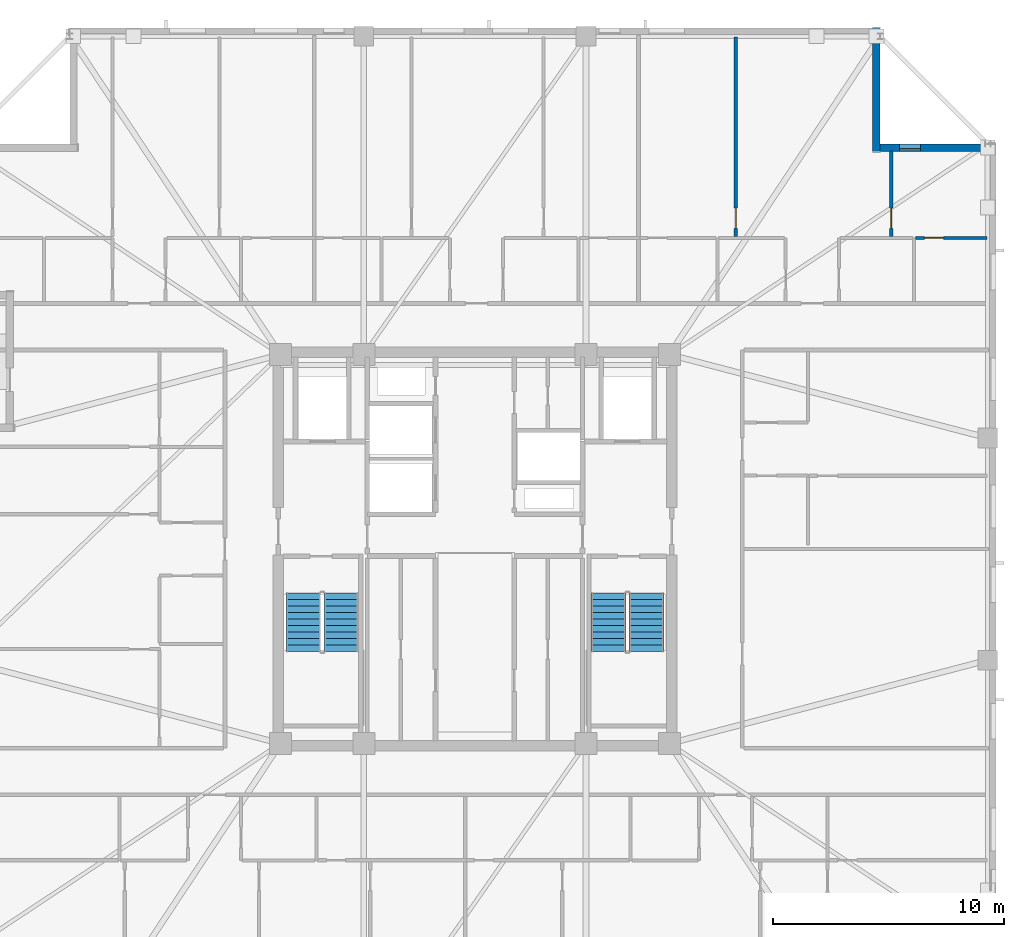
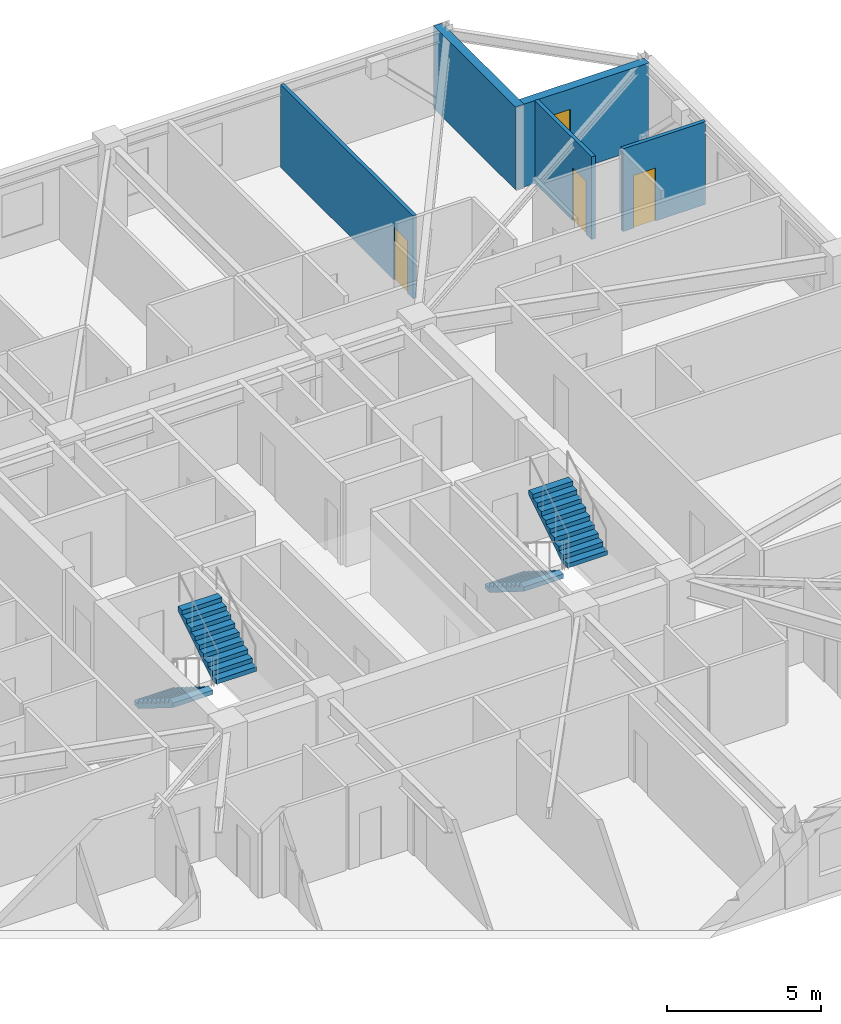
# One storey, part 12 of 17: 5 walls, 4 stair flights, 3 doors, 1 window, 4 openings, 2 elements without a shape of their own.
"""IFC4 building model written with IfcOpenShell, lengths in metres."""

import ifcopenshell
import ifcopenshell.guid

model = None  # the IFC model being written
_history = None  # IfcOwnerHistory: only IFC2X3 demands one
_inside = {}  # id of a spatial element -> (the spatial element, [elements in it])
_under = {}  # id of a project, library or spatial element -> (it, [spatial elements below it])
_declared = {}  # id of a project -> (the project, [libraries it declares])
_typed = {}  # id of a type object -> (the type object, [elements of that type])
_made_of = {}  # id of a material, layer set ... -> (it, [elements and type objects made of it])


def new_model(schema):
    """Start an empty IFC model of exactly this schema.

    Asked for "IFC4X3", IfcOpenShell would pick the latest addendum, in which some entities
    have other attributes; the version numbers below select the first issue.
    IFC2X3 requires an IfcOwnerHistory on every rooted entity: one is made here for all.
    """
    global model, _history
    if schema == "IFC4X3":
        model = ifcopenshell.file(schema_version=(4, 3, 0, 0))
    else:
        model = ifcopenshell.file(schema=schema)
    _inside.clear()
    _under.clear()
    _declared.clear()
    _typed.clear()
    _made_of.clear()
    _history = None
    if model.schema == "IFC2X3":
        org = make("IfcOrganization", Name="unknown")
        user = make(
            "IfcPersonAndOrganization",
            ThePerson=make("IfcPerson", FamilyName="unknown"),
            TheOrganization=org,
        )
        app = make(
            "IfcApplication",
            ApplicationDeveloper=org,
            Version="unknown",
            ApplicationFullName="unknown",
            ApplicationIdentifier="unknown",
        )
        _history = make(
            "IfcOwnerHistory",
            OwningUser=user,
            OwningApplication=app,
            ChangeAction="ADDED",
            CreationDate=0,
        )
    return model


def make(cls, **values):
    """One entity of the class cls with the attributes given. An attribute that is None is left unset."""
    return model.create_entity(
        cls, **{name: value for name, value in values.items() if value is not None}
    )


def rooted(cls, **values):
    """An entity with a GlobalId (a new one), such as an element, a storey or a relation."""
    return make(cls, GlobalId=ifcopenshell.guid.new(), OwnerHistory=_history, **values)


def si_unit(unit_type, name, prefix=None):
    """IfcSIUnit, for example si_unit("LENGTHUNIT", "METRE", prefix="MILLI")."""
    return make("IfcSIUnit", UnitType=unit_type, Prefix=prefix, Name=name)


def assignment(units):
    """IfcUnitAssignment: the units of a project."""
    return None if units is None else make("IfcUnitAssignment", Units=units)


def point(xyz):
    """IfcCartesianPoint."""
    return None if xyz is None else make("IfcCartesianPoint", Coordinates=xyz)


def direction(xyz):
    """IfcDirection."""
    return None if xyz is None else make("IfcDirection", DirectionRatios=xyz)


def frame(location, z_axis=None, x_axis=None):
    """IfcAxis2Placement3D, a coordinate frame: its origin and axes. An axis left out is left unset."""
    return make(
        "IfcAxis2Placement3D",
        Location=point(location),
        Axis=direction(z_axis),
        RefDirection=direction(x_axis),
    )


def frame_2d(location, x_axis=None):
    """IfcAxis2Placement2D, a coordinate frame in the plane: its origin and x axis."""
    return make(
        "IfcAxis2Placement2D", Location=point(location), RefDirection=direction(x_axis)
    )


def origin():
    """The frame at (0, 0, 0) with its axes left unset."""
    return frame((0.0, 0.0, 0.0))


def place(relative_to, where):
    """IfcLocalPlacement: puts the frame where relative to a parent placement (None: the world)."""
    return make(
        "IfcLocalPlacement", PlacementRelTo=relative_to, RelativePlacement=where
    )


def context(
    kind, dimensions, precision=None, world=None, true_north=None, identifier=None
):
    """IfcGeometricRepresentationContext, for example the 3D "Model" context."""
    return make(
        "IfcGeometricRepresentationContext",
        ContextIdentifier=identifier,
        ContextType=kind,
        CoordinateSpaceDimension=dimensions,
        Precision=precision,
        WorldCoordinateSystem=world,
        TrueNorth=true_north,
    )


def subcontext(parent, identifier, kind, view, scale=None):
    """IfcGeometricRepresentationSubContext, for example "Body" below "Model"."""
    return make(
        "IfcGeometricRepresentationSubContext",
        ContextIdentifier=identifier,
        ContextType=kind,
        ParentContext=parent,
        TargetScale=scale,
        TargetView=view,
    )


def project(units=None, contexts=None):
    """IfcProject with its units and contexts."""
    return rooted(
        "IfcProject",
        Name="project",
        RepresentationContexts=contexts,
        UnitsInContext=assignment(units),
    )


def spatial(cls, under=None, at=None, **own):
    """A site, building, storey or space (cls), placed at a placement, below another one or the project."""
    s = rooted(cls, ObjectPlacement=at, **own)
    if under is not None:
        _under.setdefault(under.id(), (under, []))[1].append(s)
    return s


def polyline(points):
    """IfcPolyline through the points."""
    return make("IfcPolyline", Points=[point(p) for p in points])


def profile(cls, at=None, kind="AREA", **sizes):
    """A parametric profile (cls). Its sizes go by their IFC names, for example OverallWidth=200.0."""
    return make(cls, ProfileType=kind, Position=at, **sizes)


def rectangle(**sizes):
    """IfcRectangleProfileDef."""
    return profile("IfcRectangleProfileDef", **sizes)


def outline(outer, holes=None, kind="AREA"):
    """IfcArbitraryClosedProfileDef: a profile drawn as a closed curve; with holes, ...WithVoids."""
    if holes is None:
        return make("IfcArbitraryClosedProfileDef", ProfileType=kind, OuterCurve=outer)
    return make(
        "IfcArbitraryProfileDefWithVoids",
        ProfileType=kind,
        OuterCurve=outer,
        InnerCurves=holes,
    )


def extrude(swept, where, along, depth):
    """IfcExtrudedAreaSolid: the profile swept, set in the frame where, extruded along a direction by depth."""
    return make(
        "IfcExtrudedAreaSolid",
        SweptArea=swept,
        Position=where,
        ExtrudedDirection=direction(along),
        Depth=depth,
    )


def shape(context_of_items, identifier, shape_type, items):
    """IfcShapeRepresentation: the items that make up one representation, for example the "Body"."""
    return make(
        "IfcShapeRepresentation",
        ContextOfItems=context_of_items,
        RepresentationIdentifier=identifier,
        RepresentationType=shape_type,
        Items=items,
    )


def material(Name=None, Category=None):
    """IfcMaterial."""
    return make("IfcMaterial", Name=Name, Category=Category)


def layer(
    of_material, thickness, ventilated=None, Name=None, Category=None, Priority=None
):
    """IfcMaterialLayer: one layer of a wall or slab, of a material (None: an air gap)."""
    return make(
        "IfcMaterialLayer",
        Material=of_material,
        LayerThickness=thickness,
        IsVentilated=ventilated,
        Name=Name,
        Category=Category,
        Priority=Priority,
    )


def layer_set(layers, Name=None):
    """IfcMaterialLayerSet."""
    return make("IfcMaterialLayerSet", MaterialLayers=layers, LayerSetName=Name)


def made_of(thing, what):
    """Note that an element or type object is made of a material, layer set ...; save() writes the relation."""
    if what is not None:
        _made_of.setdefault(what.id(), (what, []))[1].append(thing)
    return thing


def type_object(cls, material=None, **own):
    """A type object (cls), such as IfcWallType, which elements share."""
    return made_of(rooted(cls, **own), material)


def element(
    cls,
    number,
    at=None,
    inside=None,
    cuts=None,
    type_object=None,
    material=None,
    context=None,
    identifier="Body",
    shape_type=None,
    held_by="IfcProductDefinitionShape",
    body=None,
    shapes=None,
    **own,
):
    """One element of the class cls, such as IfcWall. Its Tag is "e" and its number.

    at: its placement. inside: the storey or other place that contains it. cuts: it is an
    opening in that element (IfcRelVoidsElement). A single representation is given by context,
    identifier, shape_type and body (its items); several are given by shapes. held_by: the class
    of the entity that holds the representations. save() writes the other relations.
    """
    e = rooted(cls, Tag="e%d" % number, ObjectPlacement=at, **own)
    if body is not None:
        shapes = [shape(context, identifier, shape_type, body)]
    if shapes is not None:
        e.Representation = make(held_by, Representations=shapes)
    if inside is not None:
        _inside.setdefault(inside.id(), (inside, []))[1].append(e)
    if cuts is not None:
        rooted(
            "IfcRelVoidsElement", RelatingBuildingElement=cuts, RelatedOpeningElement=e
        )
    if type_object is not None:
        _typed.setdefault(type_object.id(), (type_object, []))[1].append(e)
    return made_of(e, material)


def fill(opening, filler):
    """IfcRelFillsElement: the door or window that sits in an opening."""
    return rooted(
        "IfcRelFillsElement",
        RelatingOpeningElement=opening,
        RelatedBuildingElement=filler,
    )


def aggregate(whole, parts):
    """IfcRelAggregates: a whole, such as a stair, and the parts it consists of."""
    return rooted("IfcRelAggregates", RelatingObject=whole, RelatedObjects=parts)


def save(model, path):
    """Write the relations noted so far, then the file.

    IfcRelAggregates (storeys below a building ...), IfcRelContainedInSpatialStructure (elements
    in a storey), IfcRelDefinesByType, IfcRelAssociatesMaterial and IfcRelDeclares: one each for
    every whole, place, type object, material and project.
    """
    for whole, parts in _under.values():
        aggregate(whole, parts)
    for where, things in _inside.values():
        rooted(
            "IfcRelContainedInSpatialStructure",
            RelatedElements=things,
            RelatingStructure=where,
        )
    for kind, things in _typed.values():
        rooted("IfcRelDefinesByType", RelatedObjects=things, RelatingType=kind)
    for what, things in _made_of.values():
        rooted("IfcRelAssociatesMaterial", RelatedObjects=things, RelatingMaterial=what)
    for by, libraries in _declared.values():
        rooted("IfcRelDeclares", RelatingContext=by, RelatedDefinitions=libraries)
    model.write(path)


model = new_model("IFC4")

# Units and contexts
model_context = context("Model", 3, precision=1e-05, world=origin(), true_north=direction((0.0, 1.0)))
body_context = subcontext(model_context, "Body", "Model", "MODEL_VIEW")
ifc_project = project(units=[si_unit("LENGTHUNIT", "METRE"), si_unit("AREAUNIT", "SQUARE_METRE"), si_unit("VOLUMEUNIT", "CUBIC_METRE"), si_unit("PLANEANGLEUNIT", "RADIAN"), si_unit("MASSUNIT", "GRAM", prefix="KILO")], contexts=[model_context])

# Site, building, storey
site_placement = place(None, origin())
site = spatial("IfcSite", under=ifc_project, at=site_placement, CompositionType="ELEMENT")
building_placement = place(site_placement, origin())
building = spatial("IfcBuilding", under=site, at=building_placement, Name="Cairnveth Concourse Tower", CompositionType="ELEMENT")
storey_placement = place(building_placement, frame((0.0, 0.0, 227.0)))
storey = spatial("IfcBuildingStorey", under=building, at=storey_placement, Name="L62", CompositionType="ELEMENT", Elevation=227.0)

# Wall, opening, door
ifc_material_1 = material(Name="Gypsum Plasterboard Partition", Category="gypsum")
ifc_layer_1 = layer(ifc_material_1, 0.139892578125)
ifc_layer_set_1 = layer_set([ifc_layer_1], Name="Gypsum Plasterboard Partition")
wall_type_1 = type_object("IfcWallType", Name="GYPSUM STUD PARTITION 140", PredefinedType="PARTITIONING", material=ifc_layer_set_1)
wall_1_placement = place(storey_placement, frame((63.267578125, 52.492431640625, 0.0), z_axis=(0.0, 0.0, 1.0), x_axis=(0.0, 1.0, 0.0)))
wall_1 = element("IfcWall", 1, at=wall_1_placement, inside=storey, type_object=wall_type_1, Name="Interior Wall IW-L62-095", PredefinedType="PARTITIONING", context=body_context, shape_type="SweptSolid", body=[
    extrude(rectangle(XDim=8.627685546875, YDim=0.139892578125, at=frame_2d((4.31396484375, 0.0))), origin(), (0.0, 0.0, 1.0), 3.2900390625),
])
opening_1_placement = place(wall_1_placement, frame((0.360107421875, 0.0, 0.0)))
opening_1 = element("IfcOpeningElement", 2, at=opening_1_placement, cuts=wall_1, Name="Opening ID18", PredefinedType="OPENING", context=body_context, shape_type="SweptSolid", body=[
    extrude(rectangle(XDim=0.8798828125, YDim=2.10009765625, at=frame_2d((0.43994140625, 1.050048828125))), frame((0.0, 0.079833984375, 0.0), z_axis=(0.0, -1.0, 0.0), x_axis=(1.0, 0.0, 0.0)), (0.0, 0.0, 1.0), 0.159912109375),
])
ifc_material_2 = material(Name="Solid Core Hardwood Timber Leaf", Category="wood")
door_type_1 = type_object("IfcDoorType", Name="INTERIOR SINGLE DOOR 880X2100", OperationType="NOTDEFINED", PredefinedType="DOOR", material=ifc_material_2)
door_1_placement = place(opening_1_placement, origin())
door_1 = element("IfcDoor", 3, at=door_1_placement, inside=storey, type_object=door_type_1, Name="L62N3 Master Bedroom Door", OperationType="SINGLE_SWING_RIGHT", OverallHeight=2.10009765625, OverallWidth=0.8798828125, PredefinedType="DOOR", context=body_context, shape_type="SweptSolid", body=[
    extrude(rectangle(XDim=0.8798828125, YDim=2.10009765625, at=frame_2d((0.43994140625, 1.050048828125))), frame((0.0, 0.02490234375, 0.0), z_axis=(0.0, -1.0, 0.0), x_axis=(1.0, 0.0, 0.0)), (0.0, 0.0, 1.0), 0.050048828125),
])
fill(opening_1, door_1)

wall_2_placement = place(storey_placement, frame((69.97998046875, 52.492431640625, 0.0), z_axis=(0.0, 0.0, 1.0), x_axis=(0.0, 1.0, 0.0)))
wall_2 = element("IfcWall", 4, at=wall_2_placement, inside=storey, type_object=wall_type_1, Name="Interior Wall IW-L62-097", PredefinedType="PARTITIONING", context=body_context, shape_type="SweptSolid", body=[
    extrude(rectangle(XDim=3.70263671875, YDim=0.139892578125, at=frame_2d((1.851318359375, 0.0))), origin(), (0.0, 0.0, 1.0), 3.2900390625),
])
opening_2_placement = place(wall_2_placement, frame((0.360107421875, 0.0, 0.0)))
opening_2 = element("IfcOpeningElement", 5, at=opening_2_placement, cuts=wall_2, Name="Opening ID18", PredefinedType="OPENING", context=body_context, shape_type="SweptSolid", body=[
    extrude(rectangle(XDim=0.8798828125, YDim=2.10009765625, at=frame_2d((0.43994140625, 1.050048828125))), frame((0.0, 0.079833984375, 0.0), z_axis=(0.0, -1.0, 0.0), x_axis=(1.0, 0.0, 0.0)), (0.0, 0.0, 1.0), 0.159912109375),
])
door_2_placement = place(opening_2_placement, origin())
door_2 = element("IfcDoor", 6, at=door_2_placement, inside=storey, type_object=door_type_1, Name="L62N3 Bedroom 2 Door", OperationType="SINGLE_SWING_RIGHT", OverallHeight=2.10009765625, OverallWidth=0.8798828125, PredefinedType="DOOR", context=body_context, shape_type="SweptSolid", body=[
    extrude(rectangle(XDim=0.8798828125, YDim=2.10009765625, at=frame_2d((0.43994140625, 1.050048828125))), frame((0.0, 0.02490234375, 0.0), z_axis=(0.0, -1.0, 0.0), x_axis=(1.0, 0.0, 0.0)), (0.0, 0.0, 1.0), 0.050048828125),
])
fill(opening_2, door_2)

wall_3_placement = place(storey_placement, frame((71.023681640625, 52.4423828125, 0.0), z_axis=(0.0, 0.0, 1.0), x_axis=(1.0, 0.0, 0.0)))
wall_3 = element("IfcWall", 7, at=wall_3_placement, inside=storey, type_object=wall_type_1, Name="Interior Wall IW-L62-098", PredefinedType="PARTITIONING", context=body_context, shape_type="SweptSolid", body=[
    extrude(rectangle(XDim=3.106201171875, YDim=0.139892578125, at=frame_2d((1.55322265625, 0.0))), origin(), (0.0, 0.0, 1.0), 3.2900390625),
])
opening_3_placement = place(wall_3_placement, frame((0.39990234375, 0.0, 0.0)))
opening_3 = element("IfcOpeningElement", 8, at=opening_3_placement, cuts=wall_3, Name="Opening ID22", PredefinedType="OPENING", context=body_context, shape_type="SweptSolid", body=[
    extrude(rectangle(XDim=0.820068359375, YDim=2.10009765625, at=frame_2d((0.41015625, 1.050048828125))), frame((0.0, 0.079833984375, 0.0), z_axis=(0.0, -1.0, 0.0), x_axis=(1.0, 0.0, 0.0)), (0.0, 0.0, 1.0), 0.159912109375),
])
door_type_2 = type_object("IfcDoorType", Name="INTERIOR WC DOOR 820X2100", OperationType="NOTDEFINED", PredefinedType="DOOR", material=ifc_material_2)
door_3_placement = place(opening_3_placement, origin())
door_3 = element("IfcDoor", 9, at=door_3_placement, inside=storey, type_object=door_type_2, Name="L62N3 Utility Door", OperationType="SINGLE_SWING_LEFT", OverallHeight=2.10009765625, OverallWidth=0.820068359375, PredefinedType="DOOR", context=body_context, shape_type="SweptSolid", body=[
    extrude(rectangle(XDim=0.820068359375, YDim=2.10009765625, at=frame_2d((0.41015625, 1.050048828125))), frame((0.0, 0.02490234375, 0.0), z_axis=(0.0, -1.0, 0.0), x_axis=(1.0, 0.0, 0.0)), (0.0, 0.0, 1.0), 0.050048828125),
])
fill(opening_3, door_3)

# Wall
ifc_material_3 = material(Name="Melbourne Buff Fired Clay Brick Masonry", Category="masonry")
ifc_layer_2 = layer(ifc_material_3, 0.320068359375)
ifc_layer_set_2 = layer_set([ifc_layer_2], Name="Melbourne Buff Fired Clay Brick Masonry")
wall_type_2 = type_object("IfcWallType", Name="ZONE 3 BRICK PIER SPANDREL WALL 320", PredefinedType="SOLIDWALL", material=ifc_layer_set_2)
wall_4_placement = place(storey_placement, frame((69.340087890625, 61.5, 0.0), z_axis=(0.0, 0.0, 1.0), x_axis=(0.0, -1.0, 0.0)))
element("IfcWall", 10, at=wall_4_placement, inside=storey, type_object=wall_type_2, Name="Exterior Wall EW-L62-S04", PredefinedType="SOLIDWALL", context=body_context, shape_type="SweptSolid", body=[
    extrude(rectangle(XDim=5.320068359375, YDim=0.320068359375, at=frame_2d((2.66015625, 0.0))), origin(), (0.0, 0.0, 1.0), 3.2900390625),
])

# Wall, opening, window
wall_5_placement = place(storey_placement, frame((69.47802734375, 56.340087890625, 0.0), z_axis=(0.0, 0.0, 1.0), x_axis=(1.0, 0.0, 0.0)))
wall_5 = element("IfcWall", 11, at=wall_5_placement, inside=storey, type_object=wall_type_2, Name="Exterior Wall EW-L62-S05", PredefinedType="SOLIDWALL", context=body_context, shape_type="SweptSolid", body=[
    extrude(rectangle(XDim=4.723876953125, YDim=0.320068359375, at=frame_2d((2.36181640625, 0.0))), origin(), (0.0, 0.0, 1.0), 3.2900390625),
])
opening_4_placement = place(wall_5_placement, frame((0.8701171875, 0.0, 0.800048828125)))
opening_4 = element("IfcOpeningElement", 12, at=opening_4_placement, cuts=wall_5, Name="Opening W13", PredefinedType="OPENING", context=body_context, shape_type="SweptSolid", body=[
    extrude(rectangle(XDim=0.89990234375, YDim=1.677978515625, at=frame_2d((0.449951171875, 0.8388671875))), frame((0.0, 0.169921875, 0.0), z_axis=(0.0, -1.0, 0.0), x_axis=(1.0, 0.0, 0.0)), (0.0, 0.0, 1.0), 0.340087890625),
])
ifc_material_4 = material(Name="Double Glazed Low-E Clear Glass", Category="glass")
window_type = type_object("IfcWindowType", Name="DEEP-SET BEDROOM LANCET WINDOW 900X1750", PartitioningType="DOUBLE_PANEL_VERTICAL", PredefinedType="WINDOW", material=ifc_material_4)
window_placement = place(opening_4_placement, origin())
window = element("IfcWindow", 13, at=window_placement, inside=storey, type_object=window_type, Name="Dwelling Lancet Window L62-DW6", OverallHeight=1.677978515625, OverallWidth=0.89990234375, PartitioningType="SINGLE_PANEL", PredefinedType="WINDOW", context=body_context, shape_type="SweptSolid", body=[
    extrude(rectangle(XDim=0.89990234375, YDim=1.677978515625, at=frame_2d((0.449951171875, 0.8388671875))), frame((0.0, -0.0400390625, 0.0), z_axis=(0.0, -1.0, 0.0), x_axis=(1.0, 0.0, 0.0)), (0.0, 0.0, 1.0), 0.06005859375),
])
fill(opening_4, window)

# Stair, stair flights
ifc_material_5 = material(Name="Precast concrete N50 (50 MPa)", Category="concrete")
stair_type = type_object("IfcStairType", Name="CORE DOG-LEG FIRE STAIR 1500", PredefinedType="HALF_TURN_STAIR", material=ifc_material_5)
stair_1_placement = place(storey_placement, origin())
stair_1 = element("IfcStair", 14, at=stair_1_placement, inside=storey, type_object=stair_type, Name="L62 Fire-Isolated Stair ST-1", PredefinedType="HALF_TURN_STAIR")
stair_flight_type = type_object("IfcStairFlightType", Name="PRECAST CONCRETE STAIR FLIGHT 1500", PredefinedType="STRAIGHT", material=ifc_material_5)
stair_flight_1_placement = place(storey_placement, frame((44.590087890625, 37.10009765625, 0.0), z_axis=(0.0, 0.0, 1.0), x_axis=(0.0, -1.0, 0.0)))
stair_flight_1 = element("IfcStairFlight", 15, at=stair_flight_1_placement, type_object=stair_flight_type, Name="ST-1 flight 1", NumberOfRisers=10, NumberOfTreads=9, PredefinedType="STRAIGHT", RiserHeight=0.175, TreadLength=0.28, context=body_context, shape_type="SweptSolid", body=[
    extrude(outline(polyline([(0.0, 0.0), (0.0, 0.175048828125), (0.280029296875, 0.175048828125), (0.280029296875, 0.35009765625), (0.56005859375, 0.35009765625), (0.56005859375, 0.52490234375), (0.840087890625, 0.52490234375), (0.840087890625, 0.699951171875), (1.1201171875, 0.699951171875), (1.1201171875, 0.875), (1.39990234375, 0.875), (1.39990234375, 1.050048828125), (1.679931640625, 1.050048828125), (1.679931640625, 1.22509765625), (1.9599609375, 1.22509765625), (1.9599609375, 1.39990234375), (2.239990234375, 1.39990234375), (2.239990234375, 1.574951171875), (2.52001953125, 1.574951171875), (2.52001953125, 1.75), (2.52001953125, 1.398193359375), (0.28271484375, 0.0), (0.0, 0.0)])), frame((0.0, 0.75, 0.0), z_axis=(0.0, -1.0, 0.0), x_axis=(1.0, 0.0, 0.0)), (0.0, 0.0, 1.0), 1.5),
])
stair_flight_2_placement = place(storey_placement, frame((46.22998046875, 34.580078125, 1.75), z_axis=(0.0, 0.0, 1.0), x_axis=(0.0, 1.0, 0.0)))
stair_flight_2 = element("IfcStairFlight", 16, at=stair_flight_2_placement, type_object=stair_flight_type, Name="ST-1 flight 2", NumberOfRisers=10, NumberOfTreads=9, PredefinedType="STRAIGHT", RiserHeight=0.175, TreadLength=0.28, context=body_context, shape_type="SweptSolid", body=[
    extrude(outline(polyline([(0.0, 0.0), (0.0, 0.175048828125), (0.280029296875, 0.175048828125), (0.280029296875, 0.35009765625), (0.56005859375, 0.35009765625), (0.56005859375, 0.52490234375), (0.840087890625, 0.52490234375), (0.840087890625, 0.699951171875), (1.1201171875, 0.699951171875), (1.1201171875, 0.875), (1.39990234375, 0.875), (1.39990234375, 1.050048828125), (1.679931640625, 1.050048828125), (1.679931640625, 1.22509765625), (1.9599609375, 1.22509765625), (1.9599609375, 1.39990234375), (2.239990234375, 1.39990234375), (2.239990234375, 1.574951171875), (2.52001953125, 1.574951171875), (2.52001953125, 1.75), (2.52001953125, 1.398193359375), (0.28271484375, 0.0), (0.0, 0.0)])), frame((0.0, 0.75, 0.0), z_axis=(0.0, -1.0, 0.0), x_axis=(1.0, 0.0, 0.0)), (0.0, 0.0, 1.0), 1.5),
])
aggregate(stair_1, [stair_flight_1, stair_flight_2])

stair_2_placement = place(storey_placement, origin())
stair_2 = element("IfcStair", 17, at=stair_2_placement, inside=storey, type_object=stair_type, Name="L62 Fire-Isolated Stair ST-2", PredefinedType="HALF_TURN_STAIR")
stair_flight_3_placement = place(storey_placement, frame((57.77001953125, 37.10009765625, 0.0), z_axis=(0.0, 0.0, 1.0), x_axis=(0.0, -1.0, 0.0)))
stair_flight_3 = element("IfcStairFlight", 18, at=stair_flight_3_placement, type_object=stair_flight_type, Name="ST-2 flight 1", NumberOfRisers=10, NumberOfTreads=9, PredefinedType="STRAIGHT", RiserHeight=0.175, TreadLength=0.28, context=body_context, shape_type="SweptSolid", body=[
    extrude(outline(polyline([(0.0, 0.0), (0.0, 0.175048828125), (0.280029296875, 0.175048828125), (0.280029296875, 0.35009765625), (0.56005859375, 0.35009765625), (0.56005859375, 0.52490234375), (0.840087890625, 0.52490234375), (0.840087890625, 0.699951171875), (1.1201171875, 0.699951171875), (1.1201171875, 0.875), (1.39990234375, 0.875), (1.39990234375, 1.050048828125), (1.679931640625, 1.050048828125), (1.679931640625, 1.22509765625), (1.9599609375, 1.22509765625), (1.9599609375, 1.39990234375), (2.239990234375, 1.39990234375), (2.239990234375, 1.574951171875), (2.52001953125, 1.574951171875), (2.52001953125, 1.75), (2.52001953125, 1.398193359375), (0.28271484375, 0.0), (0.0, 0.0)])), frame((0.0, 0.75, 0.0), z_axis=(0.0, -1.0, 0.0), x_axis=(1.0, 0.0, 0.0)), (0.0, 0.0, 1.0), 1.5),
])
stair_flight_4_placement = place(storey_placement, frame((59.409912109375, 34.580078125, 1.75), z_axis=(0.0, 0.0, 1.0), x_axis=(0.0, 1.0, 0.0)))
stair_flight_4 = element("IfcStairFlight", 19, at=stair_flight_4_placement, type_object=stair_flight_type, Name="ST-2 flight 2", NumberOfRisers=10, NumberOfTreads=9, PredefinedType="STRAIGHT", RiserHeight=0.175, TreadLength=0.28, context=body_context, shape_type="SweptSolid", body=[
    extrude(outline(polyline([(0.0, 0.0), (0.0, 0.175048828125), (0.280029296875, 0.175048828125), (0.280029296875, 0.35009765625), (0.56005859375, 0.35009765625), (0.56005859375, 0.52490234375), (0.840087890625, 0.52490234375), (0.840087890625, 0.699951171875), (1.1201171875, 0.699951171875), (1.1201171875, 0.875), (1.39990234375, 0.875), (1.39990234375, 1.050048828125), (1.679931640625, 1.050048828125), (1.679931640625, 1.22509765625), (1.9599609375, 1.22509765625), (1.9599609375, 1.39990234375), (2.239990234375, 1.39990234375), (2.239990234375, 1.574951171875), (2.52001953125, 1.574951171875), (2.52001953125, 1.75), (2.52001953125, 1.398193359375), (0.28271484375, 0.0), (0.0, 0.0)])), frame((0.0, 0.75, 0.0), z_axis=(0.0, -1.0, 0.0), x_axis=(1.0, 0.0, 0.0)), (0.0, 0.0, 1.0), 1.5),
])
aggregate(stair_2, [stair_flight_3, stair_flight_4])

save(model, "model.ifc")
